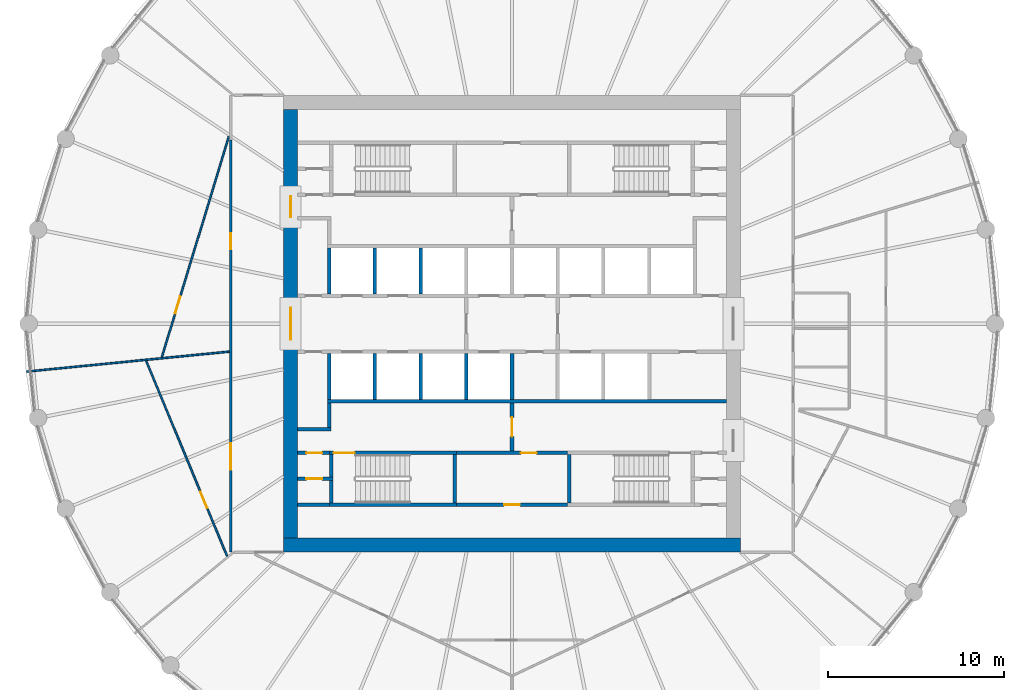
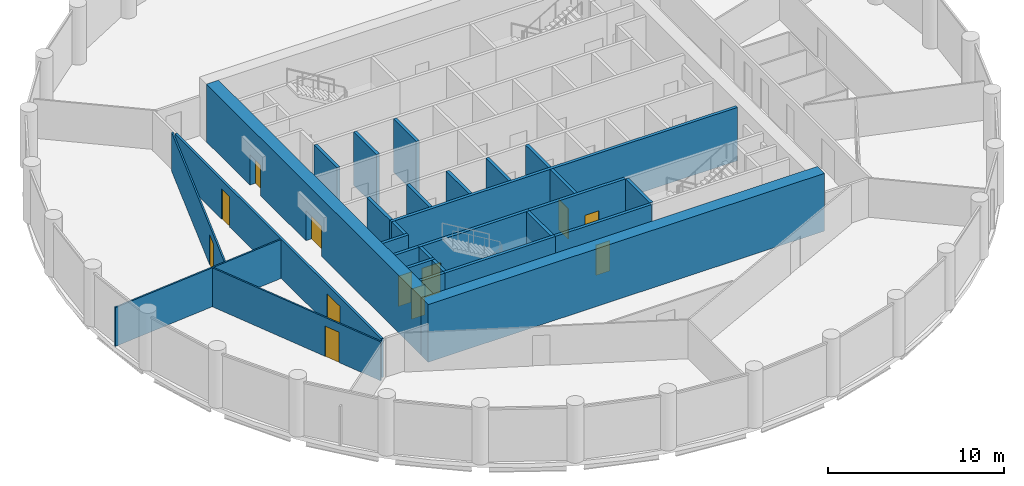
# One storey, part 4 of 8: 29 walls, 12 doors, 12 openings.
"""IFC4 building model written with IfcOpenShell, lengths in metres."""

from ifc_helpers import new_model, si_unit, direction, frame, frame_2d, origin, place, context, subcontext, project, spatial, polyline, rectangle, outline, extrude, material, layer, layer_set, type_object, element, fill, save


model = new_model("IFC4")

# Units and contexts
model_context = context("Model", 3, precision=1e-05, world=origin(), true_north=direction((0.0, 1.0)))
body_context = subcontext(model_context, "Body", "Model", "MODEL_VIEW")
ifc_project = project(units=[si_unit("LENGTHUNIT", "METRE"), si_unit("AREAUNIT", "SQUARE_METRE"), si_unit("VOLUMEUNIT", "CUBIC_METRE"), si_unit("PLANEANGLEUNIT", "RADIAN"), si_unit("MASSUNIT", "GRAM", prefix="KILO")], contexts=[model_context])

# Site, building, storey
site_placement = place(None, origin())
site = spatial("IfcSite", under=ifc_project, at=site_placement, CompositionType="ELEMENT")
building_placement = place(site_placement, origin())
building = spatial("IfcBuilding", under=site, at=building_placement, Name="Corvane Civic Tower", CompositionType="ELEMENT")
storey_placement = place(building_placement, frame((0.0, 0.0, 245.5)))
storey = spatial("IfcBuildingStorey", under=building, at=storey_placement, Name="L58", CompositionType="ELEMENT", Elevation=245.5)

# Wall
ifc_material_1 = material(Name="Concrete C50/60", Category="concrete")
ifc_layer_1 = layer(ifc_material_1, 0.800048828125)
ifc_layer_set_1 = layer_set([ifc_layer_1], Name="Concrete C50/60")
wall_type_1 = type_object("IfcWallType", Name="CORE WALL 800 C50/60", PredefinedType="SHEAR", material=ifc_layer_set_1)
wall_1_placement = place(storey_placement, frame((-13.0, -12.60009765625, 0.0), z_axis=(0.0, 0.0, 1.0), x_axis=(1.0, 0.0, 0.0)))
element("IfcWall", 1, at=wall_1_placement, inside=storey, type_object=wall_type_1, Name="W-L58-core-S", PredefinedType="SHEAR", context=body_context, shape_type="SweptSolid", body=[
    extrude(rectangle(XDim=26.0, YDim=0.800048828125, at=frame_2d((13.0, 0.0))), origin(), (0.0, 0.0, 1.0), 4.0),
])

# Wall, openings, doors
wall_2_placement = place(storey_placement, frame((-12.60009765625, -12.199951171875, 0.0), z_axis=(0.0, 0.0, 1.0), x_axis=(0.0, 1.0, 0.0)))
wall_2 = element("IfcWall", 2, at=wall_2_placement, inside=storey, type_object=wall_type_1, Name="W-L58-core-W", PredefinedType="SHEAR", context=body_context, shape_type="SweptSolid", body=[
    extrude(rectangle(XDim=24.39990234375, YDim=0.800048828125, at=frame_2d((12.199951171875, 0.0))), origin(), (0.0, 0.0, 1.0), 4.0),
])
opening_1_placement = place(wall_2_placement, frame((11.300048828125, 0.0, 0.0)))
opening_1 = element("IfcOpeningElement", 3, at=opening_1_placement, cuts=wall_2, Name="Opening L58.C28", PredefinedType="OPENING", context=body_context, shape_type="SweptSolid", body=[
    extrude(rectangle(XDim=1.800048828125, YDim=2.10009765625, at=frame_2d((0.89990234375, 1.050048828125))), frame((0.0, 0.409912109375, 0.0), z_axis=(0.0, -1.0, 0.0), x_axis=(1.0, 0.0, 0.0)), (0.0, 0.0, 1.0), 0.820068359375),
])
opening_2_placement = place(wall_2_placement, frame((18.25, 0.0, 0.0)))
opening_2 = element("IfcOpeningElement", 4, at=opening_2_placement, cuts=wall_2, Name="Opening L58.C30", PredefinedType="OPENING", context=body_context, shape_type="SweptSolid", body=[
    extrude(rectangle(XDim=1.199951171875, YDim=2.10009765625, at=frame_2d((0.60009765625, 1.050048828125))), frame((0.0, 0.409912109375, 0.0), z_axis=(0.0, -1.0, 0.0), x_axis=(1.0, 0.0, 0.0)), (0.0, 0.0, 1.0), 0.820068359375),
])
ifc_material_2 = material(Name="Steel fire door leaf", Category="steel")
door_type_1 = type_object("IfcDoorType", Name="CR-DOOR-CORE-1800", OperationType="DOUBLE_DOOR_SINGLE_SWING", PredefinedType="DOOR", material=ifc_material_2)
door_1_placement = place(opening_1_placement, origin())
door_1 = element("IfcDoor", 5, at=door_1_placement, inside=storey, type_object=door_type_1, Name="L58 door", OperationType="DOUBLE_DOOR_SINGLE_SWING", OverallHeight=2.10009765625, OverallWidth=1.800048828125, PredefinedType="DOOR", context=body_context, shape_type="SweptSolid", body=[
    extrude(rectangle(XDim=1.800048828125, YDim=2.10009765625, at=frame_2d((0.89990234375, 1.050048828125))), frame((0.0, 0.02490234375, 0.0), z_axis=(0.0, -1.0, 0.0), x_axis=(1.0, 0.0, 0.0)), (0.0, 0.0, 1.0), 0.050048828125),
])
fill(opening_1, door_1)
door_2_placement = place(opening_2_placement, origin())
door_2 = element("IfcDoor", 6, at=door_2_placement, inside=storey, type_object=door_type_1, Name="L58 door", OperationType="DOUBLE_DOOR_SINGLE_SWING", OverallHeight=2.10009765625, OverallWidth=1.199951171875, PredefinedType="DOOR", context=body_context, shape_type="SweptSolid", body=[
    extrude(rectangle(XDim=1.199951171875, YDim=2.10009765625, at=frame_2d((0.60009765625, 1.050048828125))), frame((0.0, 0.02490234375, 0.0), z_axis=(0.0, -1.0, 0.0), x_axis=(1.0, 0.0, 0.0)), (0.0, 0.0, 1.0), 0.050048828125),
])
fill(opening_2, door_2)

# Wall, opening, door
ifc_material_3 = material(Name="Concrete C30/37", Category="concrete")
ifc_layer_2 = layer(ifc_material_3, 0.199951171875)
ifc_layer_set_2 = layer_set([ifc_layer_2], Name="Concrete C30/37")
wall_type_2 = type_object("IfcWallType", Name="CR-WALL-200", PredefinedType="PARTITIONING", material=ifc_layer_set_2)
wall_3_placement = place(storey_placement, frame((-3.14990234375, -10.300048828125, 0.0), z_axis=(0.0, 0.0, 1.0), x_axis=(1.0, 0.0, 0.0)))
wall_3 = element("IfcWall", 7, at=wall_3_placement, inside=storey, type_object=wall_type_2, Name="L58 partition wall", PredefinedType="PARTITIONING", context=body_context, shape_type="SweptSolid", body=[
    extrude(rectangle(XDim=6.2998046875, YDim=0.199951171875, at=frame_2d((3.14990234375, 0.0))), origin(), (0.0, 0.0, 1.0), 3.699951171875),
])
opening_3_placement = place(wall_3_placement, frame((2.699951171875, 0.0, 0.0)))
opening_3 = element("IfcOpeningElement", 8, at=opening_3_placement, cuts=wall_3, Name="Opening L58.C09", PredefinedType="OPENING", context=body_context, shape_type="SweptSolid", body=[
    extrude(rectangle(XDim=0.89990234375, YDim=2.10009765625, at=frame_2d((0.449951171875, 1.050048828125))), frame((0.0, 0.10986328125, 0.0), z_axis=(0.0, -1.0, 0.0), x_axis=(1.0, 0.0, 0.0)), (0.0, 0.0, 1.0), 0.219970703125),
])
ifc_material_4 = material(Name="Steel fire door leaf", Category="steel")
door_type_2 = type_object("IfcDoorType", Name="CR-DOOR-900", OperationType="SINGLE_SWING_LEFT", PredefinedType="DOOR", material=ifc_material_4)
door_3_placement = place(opening_3_placement, origin())
door_3 = element("IfcDoor", 9, at=door_3_placement, inside=storey, type_object=door_type_2, Name="L58 door", OperationType="SINGLE_SWING_LEFT", OverallHeight=2.10009765625, OverallWidth=0.89990234375, PredefinedType="DOOR", context=body_context, shape_type="SweptSolid", body=[
    extrude(rectangle(XDim=0.89990234375, YDim=2.10009765625, at=frame_2d((0.449951171875, 1.050048828125))), frame((0.0, 0.02490234375, 0.0), z_axis=(0.0, -1.0, 0.0), x_axis=(1.0, 0.0, 0.0)), (0.0, 0.0, 1.0), 0.050048828125),
])
fill(opening_3, door_3)

wall_4_placement = place(storey_placement, frame((-12.199951171875, -8.824951171875, 0.0), z_axis=(0.0, 0.0, 1.0), x_axis=(1.0, 0.0, 0.0)))
wall_4 = element("IfcWall", 10, at=wall_4_placement, inside=storey, type_object=wall_type_2, Name="L58 partition wall", PredefinedType="PARTITIONING", context=body_context, shape_type="SweptSolid", body=[
    extrude(rectangle(XDim=2.0, YDim=0.199951171875, at=frame_2d((1.0, 0.0))), origin(), (0.0, 0.0, 1.0), 3.699951171875),
])
opening_4_placement = place(wall_4_placement, frame((0.5, 0.0, 0.0)))
opening_4 = element("IfcOpeningElement", 11, at=opening_4_placement, cuts=wall_4, Name="Opening L58.C13", PredefinedType="OPENING", context=body_context, shape_type="SweptSolid", body=[
    extrude(rectangle(XDim=0.89990234375, YDim=2.10009765625, at=frame_2d((0.449951171875, 1.050048828125))), frame((0.0, 0.10986328125, 0.0), z_axis=(0.0, -1.0, 0.0), x_axis=(1.0, 0.0, 0.0)), (0.0, 0.0, 1.0), 0.219970703125),
])
door_4_placement = place(opening_4_placement, origin())
door_4 = element("IfcDoor", 12, at=door_4_placement, inside=storey, type_object=door_type_2, Name="L58 door", OperationType="SINGLE_SWING_LEFT", OverallHeight=2.10009765625, OverallWidth=0.89990234375, PredefinedType="DOOR", context=body_context, shape_type="SweptSolid", body=[
    extrude(rectangle(XDim=0.89990234375, YDim=2.10009765625, at=frame_2d((0.449951171875, 1.050048828125))), frame((0.0, 0.02490234375, 0.0), z_axis=(0.0, -1.0, 0.0), x_axis=(1.0, 0.0, 0.0)), (0.0, 0.0, 1.0), 0.050048828125),
])
fill(opening_4, door_4)

wall_5_placement = place(storey_placement, frame((-12.199951171875, -7.35009765625, 0.0), z_axis=(0.0, 0.0, 1.0), x_axis=(1.0, 0.0, 0.0)))
wall_5 = element("IfcWall", 13, at=wall_5_placement, inside=storey, type_object=wall_type_2, Name="L58 core partition wall", PredefinedType="PARTITIONING", context=body_context, shape_type="SweptSolid", body=[
    extrude(rectangle(XDim=1.800048828125, YDim=0.199951171875, at=frame_2d((0.89990234375, 0.0))), origin(), (0.0, 0.0, 1.0), 3.699951171875),
])
opening_5_placement = place(wall_5_placement, frame((0.5, 0.0, 0.0)))
opening_5 = element("IfcOpeningElement", 14, at=opening_5_placement, cuts=wall_5, Name="Opening L58.C12", PredefinedType="OPENING", context=body_context, shape_type="SweptSolid", body=[
    extrude(rectangle(XDim=0.89990234375, YDim=2.10009765625, at=frame_2d((0.449951171875, 1.050048828125))), frame((0.0, 0.10986328125, 0.0), z_axis=(0.0, -1.0, 0.0), x_axis=(1.0, 0.0, 0.0)), (0.0, 0.0, 1.0), 0.219970703125),
])
door_5_placement = place(opening_5_placement, origin())
door_5 = element("IfcDoor", 15, at=door_5_placement, inside=storey, type_object=door_type_2, Name="L58 door", OperationType="SINGLE_SWING_LEFT", OverallHeight=2.10009765625, OverallWidth=0.89990234375, PredefinedType="DOOR", context=body_context, shape_type="SweptSolid", body=[
    extrude(rectangle(XDim=0.89990234375, YDim=2.10009765625, at=frame_2d((0.449951171875, 1.050048828125))), frame((0.0, 0.02490234375, 0.0), z_axis=(0.0, -1.0, 0.0), x_axis=(1.0, 0.0, 0.0)), (0.0, 0.0, 1.0), 0.050048828125),
])
fill(opening_5, door_5)

wall_6_placement = place(storey_placement, frame((-3.14990234375, -7.35009765625, 0.0), z_axis=(0.0, 0.0, 1.0), x_axis=(1.0, 0.0, 0.0)))
wall_6 = element("IfcWall", 16, at=wall_6_placement, inside=storey, type_object=wall_type_2, Name="L58 partition wall", PredefinedType="PARTITIONING", context=body_context, shape_type="SweptSolid", body=[
    extrude(rectangle(XDim=6.2998046875, YDim=0.199951171875, at=frame_2d((3.14990234375, 0.0))), origin(), (0.0, 0.0, 1.0), 3.699951171875),
])
opening_6_placement = place(wall_6_placement, frame((3.64990234375, 0.0, 0.0)))
opening_6 = element("IfcOpeningElement", 17, at=opening_6_placement, cuts=wall_6, Name="Opening L58.C07", PredefinedType="OPENING", context=body_context, shape_type="SweptSolid", body=[
    extrude(rectangle(XDim=0.89990234375, YDim=2.10009765625, at=frame_2d((0.449951171875, 1.050048828125))), frame((0.0, 0.10986328125, 0.0), z_axis=(0.0, -1.0, 0.0), x_axis=(1.0, 0.0, 0.0)), (0.0, 0.0, 1.0), 0.219970703125),
])
door_6_placement = place(opening_6_placement, origin())
door_6 = element("IfcDoor", 18, at=door_6_placement, inside=storey, type_object=door_type_2, Name="L58 door", OperationType="SINGLE_SWING_LEFT", OverallHeight=2.10009765625, OverallWidth=0.89990234375, PredefinedType="DOOR", context=body_context, shape_type="SweptSolid", body=[
    extrude(rectangle(XDim=0.89990234375, YDim=2.10009765625, at=frame_2d((0.449951171875, 1.050048828125))), frame((0.0, 0.02490234375, 0.0), z_axis=(0.0, -1.0, 0.0), x_axis=(1.0, 0.0, 0.0)), (0.0, 0.0, 1.0), 0.050048828125),
])
fill(opening_6, door_6)

wall_7_placement = place(storey_placement, frame((0.0, -7.25, 0.0), z_axis=(0.0, 0.0, 1.0), x_axis=(0.0, 1.0, 0.0)))
wall_7 = element("IfcWall", 19, at=wall_7_placement, inside=storey, type_object=wall_type_2, Name="L58 core partition wall", PredefinedType="PARTITIONING", context=body_context, shape_type="SweptSolid", body=[
    extrude(rectangle(XDim=2.75, YDim=0.199951171875, at=frame_2d((1.375, 0.0))), origin(), (0.0, 0.0, 1.0), 3.699951171875),
])
opening_7_placement = place(wall_7_placement, frame((0.824951171875, 0.0, 0.0)))
opening_7 = element("IfcOpeningElement", 20, at=opening_7_placement, cuts=wall_7, Name="Opening L58.C27", PredefinedType="OPENING", context=body_context, shape_type="SweptSolid", body=[
    extrude(rectangle(XDim=1.10009765625, YDim=2.10009765625, at=frame_2d((0.550048828125, 1.050048828125))), frame((0.0, 0.10986328125, 0.0), z_axis=(0.0, -1.0, 0.0), x_axis=(1.0, 0.0, 0.0)), (0.0, 0.0, 1.0), 0.219970703125),
])
ifc_material_5 = material(Name="Steel fire door leaf", Category="steel")
door_type_3 = type_object("IfcDoorType", Name="CR-DOOR-FFL-1100", OperationType="SINGLE_SWING_LEFT", PredefinedType="DOOR", material=ifc_material_5)
door_7_placement = place(opening_7_placement, origin())
door_7 = element("IfcDoor", 21, at=door_7_placement, inside=storey, type_object=door_type_3, Name="L58 lobby door", OperationType="SINGLE_SWING_LEFT", OverallHeight=2.10009765625, OverallWidth=1.10009765625, PredefinedType="DOOR", context=body_context, shape_type="SweptSolid", body=[
    extrude(rectangle(XDim=1.10009765625, YDim=2.10009765625, at=frame_2d((0.550048828125, 1.050048828125))), frame((0.0, 0.02490234375, 0.0), z_axis=(0.0, -1.0, 0.0), x_axis=(1.0, 0.0, 0.0)), (0.0, 0.0, 1.0), 0.050048828125),
])
fill(opening_7, door_7)

# Walls
wall_8_placement = place(storey_placement, origin())
element("IfcWall", 22, at=wall_8_placement, inside=storey, type_object=wall_type_2, Name="L58 core partition wall", PredefinedType="PARTITIONING", context=body_context, shape_type="SweptSolid", body=[
    extrude(outline(polyline([(12.199951171875, -4.300048828125), (12.199951171875, -4.5), (-10.5, -4.5), (-10.5, -4.300048828125), (12.199951171875, -4.300048828125)])), origin(), (0.0, 0.0, 1.0), 3.699951171875),
])
wall_9_placement = place(storey_placement, origin())
element("IfcWall", 23, at=wall_9_placement, inside=storey, type_object=wall_type_2, Name="L58 core partition wall", PredefinedType="PARTITIONING", context=body_context, shape_type="SweptSolid", body=[
    extrude(outline(polyline([(-2.5, -1.699951171875), (-2.5, -4.2998046875), (-2.699951171875, -4.2998046875), (-2.699951171875, -1.699951171875), (-2.5, -1.699951171875)])), origin(), (0.0, 0.0, 1.0), 3.699951171875),
])
wall_10_placement = place(storey_placement, origin())
element("IfcWall", 24, at=wall_10_placement, inside=storey, type_object=wall_type_2, Name="L58 core partition wall", PredefinedType="PARTITIONING", context=body_context, shape_type="SweptSolid", body=[
    extrude(outline(polyline([(0.10009765625, -1.699951171875), (0.10009765625, -4.2998046875), (-0.10009765625, -4.2998046875), (-0.10009765625, -1.699951171875), (0.10009765625, -1.699951171875)])), origin(), (0.0, 0.0, 1.0), 3.699951171875),
])
wall_11_placement = place(storey_placement, origin())
element("IfcWall", 25, at=wall_11_placement, inside=storey, type_object=wall_type_2, Name="L58 core partition wall", PredefinedType="PARTITIONING", context=body_context, shape_type="SweptSolid", body=[
    extrude(outline(polyline([(-10.300048828125, -1.699951171875), (-10.300048828125, -4.2998046875), (-10.5, -4.2998046875), (-10.5, -1.699951171875), (-10.300048828125, -1.699951171875)])), origin(), (0.0, 0.0, 1.0), 3.699951171875),
])
wall_12_placement = place(storey_placement, origin())
element("IfcWall", 26, at=wall_12_placement, inside=storey, type_object=wall_type_2, Name="L58 core partition wall", PredefinedType="PARTITIONING", context=body_context, shape_type="SweptSolid", body=[
    extrude(outline(polyline([(-7.699951171875, -1.699951171875), (-7.699951171875, -4.2998046875), (-7.89990234375, -4.2998046875), (-7.89990234375, -1.699951171875), (-7.699951171875, -1.699951171875)])), origin(), (0.0, 0.0, 1.0), 3.699951171875),
])
wall_13_placement = place(storey_placement, origin())
element("IfcWall", 27, at=wall_13_placement, inside=storey, type_object=wall_type_2, Name="L58 core partition wall", PredefinedType="PARTITIONING", context=body_context, shape_type="SweptSolid", body=[
    extrude(outline(polyline([(-5.10009765625, -1.699951171875), (-5.10009765625, -4.2998046875), (-5.300048828125, -4.2998046875), (-5.300048828125, -1.699951171875), (-5.10009765625, -1.699951171875)])), origin(), (0.0, 0.0, 1.0), 3.699951171875),
])
wall_14_placement = place(storey_placement, origin())
element("IfcWall", 28, at=wall_14_placement, inside=storey, type_object=wall_type_2, Name="L58 core partition wall", PredefinedType="PARTITIONING", context=body_context, shape_type="SweptSolid", body=[
    extrude(outline(polyline([(-10.300048828125, -6.10009765625), (-12.199951171875, -6.10009765625), (-12.199951171875, -5.89990234375), (-10.300048828125, -5.89990234375), (-10.300048828125, -6.10009765625)])), origin(), (0.0, 0.0, 1.0), 3.699951171875),
])
wall_15_placement = place(storey_placement, origin())
element("IfcWall", 29, at=wall_15_placement, inside=storey, type_object=wall_type_2, Name="L58 core partition wall", PredefinedType="PARTITIONING", context=body_context, shape_type="SweptSolid", body=[
    extrude(outline(polyline([(-10.300048828125, -5.89990234375), (-10.5, -5.89990234375), (-10.5, -4.5), (-10.300048828125, -4.5), (-10.300048828125, -5.89990234375)])), origin(), (0.0, 0.0, 1.0), 3.699951171875),
])
wall_16_placement = place(storey_placement, origin())
element("IfcWall", 30, at=wall_16_placement, inside=storey, type_object=wall_type_2, Name="L58 core partition wall", PredefinedType="PARTITIONING", context=body_context, shape_type="SweptSolid", body=[
    extrude(outline(polyline([(-10.300048828125, 1.699951171875), (-10.5, 1.699951171875), (-10.5, 4.2998046875), (-10.300048828125, 4.2998046875), (-10.300048828125, 1.699951171875)])), origin(), (0.0, 0.0, 1.0), 3.699951171875),
])
wall_17_placement = place(storey_placement, origin())
element("IfcWall", 31, at=wall_17_placement, inside=storey, type_object=wall_type_2, Name="L58 core partition wall", PredefinedType="PARTITIONING", context=body_context, shape_type="SweptSolid", body=[
    extrude(outline(polyline([(-7.699951171875, 1.699951171875), (-7.89990234375, 1.699951171875), (-7.89990234375, 4.2998046875), (-7.699951171875, 4.2998046875), (-7.699951171875, 1.699951171875)])), origin(), (0.0, 0.0, 1.0), 3.699951171875),
])
wall_18_placement = place(storey_placement, origin())
element("IfcWall", 32, at=wall_18_placement, inside=storey, type_object=wall_type_2, Name="L58 core partition wall", PredefinedType="PARTITIONING", context=body_context, shape_type="SweptSolid", body=[
    extrude(outline(polyline([(-5.10009765625, 1.699951171875), (-5.300048828125, 1.699951171875), (-5.300048828125, 4.2998046875), (-5.10009765625, 4.2998046875), (-5.10009765625, 1.699951171875)])), origin(), (0.0, 0.0, 1.0), 3.699951171875),
])
wall_19_placement = place(storey_placement, origin())
element("IfcWall", 33, at=wall_19_placement, inside=storey, type_object=wall_type_2, Name="L58 core partition wall", PredefinedType="PARTITIONING", context=body_context, shape_type="SweptSolid", body=[
    extrude(outline(polyline([(-10.39990234375, -10.39990234375), (-12.199951171875, -10.39990234375), (-12.199951171875, -10.199951171875), (-10.39990234375, -10.199951171875), (-10.39990234375, -10.39990234375)])), origin(), (0.0, 0.0, 1.0), 3.699951171875),
])

# Wall, opening, door
ifc_material_6 = material(Name="Plasterboard")
ifc_layer_3 = layer(ifc_material_6, 0.10009765625)
ifc_layer_set_3 = layer_set([ifc_layer_3], Name="Plasterboard")
wall_type_3 = type_object("IfcWallType", Name="Partition 100 plasterboard on studs", PredefinedType="PARTITIONING", material=ifc_layer_set_3)
wall_20_placement = place(storey_placement, frame((-20.815185546875, -2.114990234375, 0.0), z_axis=(0.0, 0.0, 1.0), x_axis=(0.382678182982, -0.92388170686, 0.0)))
wall_20 = element("IfcWall", 34, at=wall_20_placement, inside=storey, type_object=wall_type_3, Name="Partition L58.007", PredefinedType="PARTITIONING", context=body_context, shape_type="SweptSolid", body=[
    extrude(rectangle(XDim=12.0234375, YDim=0.10009765625, at=frame_2d((6.01171875, 0.0))), origin(), (0.0, 0.0, 1.0), 2.699951171875),
])
opening_8_placement = place(wall_20_placement, frame((8.05615234375, 0.0, 0.0)))
opening_8 = element("IfcOpeningElement", 35, at=opening_8_placement, cuts=wall_20, Name="Opening L58.014", PredefinedType="OPENING", context=body_context, shape_type="SweptSolid", body=[
    extrude(rectangle(XDim=1.0, YDim=2.10009765625, at=frame_2d((0.5, 1.050048828125))), frame((0.0, 0.06005859375, 0.0), z_axis=(0.0, -1.0, 0.0), x_axis=(1.0, 0.0, 0.0)), (0.0, 0.0, 1.0), 0.1201171875),
])
ifc_material_7 = material(Name="Timber", Category="wood")
door_type_4 = type_object("IfcDoorType", Name="Single door 1000", OperationType="NOTDEFINED", PredefinedType="DOOR", material=ifc_material_7)
door_8_placement = place(opening_8_placement, frame((1.0, 0.0, 0.0), z_axis=(0.0, 0.0, 1.0), x_axis=(-1.0, 0.0, 0.0)))
door_8 = element("IfcDoor", 36, at=door_8_placement, inside=storey, type_object=door_type_4, Name="Door L58.014", OperationType="SINGLE_SWING_LEFT", OverallHeight=2.10009765625, OverallWidth=1.0, PredefinedType="DOOR", context=body_context, shape_type="SweptSolid", body=[
    extrude(rectangle(XDim=1.0, YDim=2.10009765625, at=frame_2d((0.5, 1.050048828125))), frame((0.0, 0.02490234375, 0.0), z_axis=(0.0, -1.0, 0.0), x_axis=(1.0, 0.0, 0.0)), (0.0, 0.0, 1.0), 0.050048828125),
])
fill(opening_8, door_8)

# Wall
wall_21_placement = place(storey_placement, frame((-27.616455078125, -2.719970703125, 0.0), z_axis=(0.0, 0.0, 1.0), x_axis=(0.995184958345, 0.098014788084, 0.0)))
element("IfcWall", 37, at=wall_21_placement, inside=storey, type_object=wall_type_3, Name="Partition L58.017", PredefinedType="PARTITIONING", context=body_context, shape_type="SweptSolid", body=[
    extrude(rectangle(XDim=11.592529296875, YDim=0.10009765625, at=frame_2d((5.79638671875, 0.0))), origin(), (0.0, 0.0, 1.0), 2.699951171875),
])

# Wall, opening, door
wall_22_placement = place(storey_placement, frame((-19.922607421875, -1.892578125, 0.0), z_axis=(0.0, 0.0, 1.0), x_axis=(0.290282810355, 0.956940902048, 0.0)))
wall_22 = element("IfcWall", 38, at=wall_22_placement, inside=storey, type_object=wall_type_3, Name="Partition L58.019", PredefinedType="PARTITIONING", context=body_context, shape_type="SweptSolid", body=[
    extrude(rectangle(XDim=13.11279296875, YDim=0.10009765625, at=frame_2d((6.556396484375, 0.0))), origin(), (0.0, 0.0, 1.0), 2.699951171875),
])
opening_9_placement = place(wall_22_placement, frame((2.59619140625, 0.0, 0.0)))
opening_9 = element("IfcOpeningElement", 39, at=opening_9_placement, cuts=wall_22, Name="Opening L58.016", PredefinedType="OPENING", context=body_context, shape_type="SweptSolid", body=[
    extrude(rectangle(XDim=1.0, YDim=2.10009765625, at=frame_2d((0.5, 1.050048828125))), frame((0.0, 0.06005859375, 0.0), z_axis=(0.0, -1.0, 0.0), x_axis=(1.0, 0.0, 0.0)), (0.0, 0.0, 1.0), 0.1201171875),
])
door_9_placement = place(opening_9_placement, origin())
door_9 = element("IfcDoor", 40, at=door_9_placement, inside=storey, type_object=door_type_4, Name="Door L58.016", OperationType="SINGLE_SWING_LEFT", OverallHeight=2.10009765625, OverallWidth=1.0, PredefinedType="DOOR", context=body_context, shape_type="SweptSolid", body=[
    extrude(rectangle(XDim=1.0, YDim=2.10009765625, at=frame_2d((0.5, 1.050048828125))), frame((0.0, 0.02490234375, 0.0), z_axis=(0.0, -1.0, 0.0), x_axis=(1.0, 0.0, 0.0)), (0.0, 0.0, 1.0), 0.050048828125),
])
fill(opening_9, door_9)

ifc_material_8 = material(Name="Concrete C50/60", Category="concrete")
ifc_layer_4 = layer(ifc_material_8, 0.199951171875)
ifc_layer_set_4 = layer_set([ifc_layer_4], Name="Concrete C50/60")
wall_type_4 = type_object("IfcWallType", Name="ST-WALL-200", PredefinedType="SHEAR", material=ifc_layer_set_4)
wall_23_placement = place(storey_placement, frame((-10.39990234375, -7.35009765625, 0.0), z_axis=(0.0, 0.0, 1.0), x_axis=(1.0, 0.0, 0.0)))
wall_23 = element("IfcWall", 41, at=wall_23_placement, inside=storey, type_object=wall_type_4, Name="L58 stair enclosure wall", PredefinedType="SHEAR", context=body_context, shape_type="SweptSolid", body=[
    extrude(rectangle(XDim=7.25, YDim=0.199951171875, at=frame_2d((3.625, 0.0))), origin(), (0.0, 0.0, 1.0), 3.699951171875),
])
opening_10_placement = place(wall_23_placement, frame((0.25, 0.0, 0.0)))
opening_10 = element("IfcOpeningElement", 42, at=opening_10_placement, cuts=wall_23, Name="Opening L58.C23", PredefinedType="OPENING", context=body_context, shape_type="SweptSolid", body=[
    extrude(rectangle(XDim=1.199951171875, YDim=2.10009765625, at=frame_2d((0.60009765625, 1.050048828125))), frame((0.0, 0.10986328125, 0.0), z_axis=(0.0, -1.0, 0.0), x_axis=(1.0, 0.0, 0.0)), (0.0, 0.0, 1.0), 0.219970703125),
])
ifc_material_9 = material(Name="Steel fire door leaf", Category="steel")
door_type_5 = type_object("IfcDoorType", Name="ST-DOOR-1200", OperationType="SINGLE_SWING_RIGHT", PredefinedType="DOOR", material=ifc_material_9)
door_10_placement = place(opening_10_placement, origin())
door_10 = element("IfcDoor", 43, at=door_10_placement, inside=storey, type_object=door_type_5, Name="L58 stair door", OperationType="SINGLE_SWING_RIGHT", OverallHeight=2.10009765625, OverallWidth=1.199951171875, PredefinedType="DOOR", context=body_context, shape_type="SweptSolid", body=[
    extrude(rectangle(XDim=1.199951171875, YDim=2.10009765625, at=frame_2d((0.60009765625, 1.050048828125))), frame((0.0, 0.02490234375, 0.0), z_axis=(0.0, -1.0, 0.0), x_axis=(1.0, 0.0, 0.0)), (0.0, 0.0, 1.0), 0.050048828125),
])
fill(opening_10, door_10)

# Walls
wall_24_placement = place(storey_placement, origin())
element("IfcWall", 44, at=wall_24_placement, inside=storey, type_object=wall_type_4, Name="L58 stair enclosure wall", PredefinedType="SHEAR", context=body_context, shape_type="SweptSolid", body=[
    extrude(outline(polyline([(-3.14990234375, -10.199951171875), (-3.14990234375, -10.39990234375), (-10.39990234375, -10.39990234375), (-10.39990234375, -10.199951171875), (-3.14990234375, -10.199951171875)])), origin(), (0.0, 0.0, 1.0), 3.699951171875),
])
wall_25_placement = place(storey_placement, origin())
element("IfcWall", 45, at=wall_25_placement, inside=storey, type_object=wall_type_4, Name="L58 stair enclosure wall", PredefinedType="SHEAR", context=body_context, shape_type="SweptSolid", body=[
    extrude(outline(polyline([(-3.14990234375, -7.449951171875), (-3.14990234375, -10.199951171875), (-3.35009765625, -10.199951171875), (-3.35009765625, -7.449951171875), (-3.14990234375, -7.449951171875)])), origin(), (0.0, 0.0, 1.0), 3.699951171875),
])
wall_26_placement = place(storey_placement, origin())
element("IfcWall", 46, at=wall_26_placement, inside=storey, type_object=wall_type_4, Name="L58 stair enclosure wall", PredefinedType="SHEAR", context=body_context, shape_type="SweptSolid", body=[
    extrude(outline(polyline([(3.35009765625, -7.449951171875), (3.35009765625, -10.199951171875), (3.14990234375, -10.199951171875), (3.14990234375, -7.449951171875), (3.35009765625, -7.449951171875)])), origin(), (0.0, 0.0, 1.0), 3.699951171875),
])
wall_27_placement = place(storey_placement, origin())
element("IfcWall", 47, at=wall_27_placement, inside=storey, type_object=wall_type_4, Name="L58 stair enclosure wall", PredefinedType="SHEAR", context=body_context, shape_type="SweptSolid", body=[
    extrude(outline(polyline([(-10.199951171875, -7.449951171875), (-10.199951171875, -8.72509765625), (-10.39990234375, -8.72509765625), (-10.39990234375, -7.449951171875), (-10.199951171875, -7.449951171875)])), origin(), (0.0, 0.0, 1.0), 3.699951171875),
])
wall_28_placement = place(storey_placement, origin())
element("IfcWall", 48, at=wall_28_placement, inside=storey, type_object=wall_type_4, Name="L58 stair enclosure wall", PredefinedType="SHEAR", context=body_context, shape_type="SweptSolid", body=[
    extrude(outline(polyline([(-10.199951171875, -8.925048828125), (-10.199951171875, -10.199951171875), (-10.39990234375, -10.199951171875), (-10.39990234375, -8.925048828125), (-10.199951171875, -8.925048828125)])), origin(), (0.0, 0.0, 1.0), 3.699951171875),
])

# Wall, openings, doors
ifc_material_10 = material(Name="Plasterboard")
ifc_layer_5 = layer(ifc_material_10, 0.14990234375)
ifc_layer_set_5 = layer_set([ifc_layer_5], Name="Plasterboard")
wall_type_5 = type_object("IfcWallType", Name="Tenancy wall 150 EI 60", PredefinedType="PARTITIONING", material=ifc_layer_set_5)
wall_29_placement = place(storey_placement, frame((-16.0, -13.0, 0.0), z_axis=(0.0, 0.0, 1.0), x_axis=(0.0, 1.0, 0.0)))
wall_29 = element("IfcWall", 49, at=wall_29_placement, inside=storey, type_object=wall_type_5, Name="Partition L58.008", PredefinedType="PARTITIONING", context=body_context, shape_type="SweptSolid", body=[
    extrude(rectangle(XDim=23.459716796875, YDim=0.14990234375, at=frame_2d((11.72998046875, 0.0))), origin(), (0.0, 0.0, 1.0), 2.699951171875),
])
opening_11_placement = place(wall_29_placement, frame((4.68701171875, 0.0, 0.0)))
opening_11 = element("IfcOpeningElement", 50, at=opening_11_placement, cuts=wall_29, Name="Opening L58.015", PredefinedType="OPENING", context=body_context, shape_type="SweptSolid", body=[
    extrude(rectangle(XDim=1.5, YDim=2.10009765625, at=frame_2d((0.75, 1.050048828125))), frame((0.0, 0.0849609375, 0.0), z_axis=(0.0, -1.0, 0.0), x_axis=(1.0, 0.0, 0.0)), (0.0, 0.0, 1.0), 0.169921875),
])
opening_12_placement = place(wall_29_placement, frame((17.24462890625, 0.0, 0.0)))
opening_12 = element("IfcOpeningElement", 51, at=opening_12_placement, cuts=wall_29, Name="Opening L58.017", PredefinedType="OPENING", context=body_context, shape_type="SweptSolid", body=[
    extrude(rectangle(XDim=0.89990234375, YDim=2.10009765625, at=frame_2d((0.449951171875, 1.050048828125))), frame((0.0, 0.0849609375, 0.0), z_axis=(0.0, -1.0, 0.0), x_axis=(1.0, 0.0, 0.0)), (0.0, 0.0, 1.0), 0.169921875),
])
ifc_material_11 = material(Name="Steel and timber", Category="steel")
door_type_6 = type_object("IfcDoorType", Name="Fire door FD30S 900", OperationType="NOTDEFINED", PredefinedType="DOOR", material=ifc_material_11)
door_11_placement = place(opening_12_placement, origin())
door_11 = element("IfcDoor", 52, at=door_11_placement, inside=storey, type_object=door_type_6, Name="Door L58.017", OperationType="SINGLE_SWING_LEFT", OverallHeight=2.10009765625, OverallWidth=0.89990234375, PredefinedType="DOOR", context=body_context, shape_type="SweptSolid", body=[
    extrude(rectangle(XDim=0.89990234375, YDim=2.10009765625, at=frame_2d((0.449951171875, 1.050048828125))), frame((0.0, 0.02490234375, 0.0), z_axis=(0.0, -1.0, 0.0), x_axis=(1.0, 0.0, 0.0)), (0.0, 0.0, 1.0), 0.050048828125),
])
fill(opening_12, door_11)
ifc_material_12 = material(Name="Steel and timber", Category="steel")
door_type_7 = type_object("IfcDoorType", Name="Fire door FD60 double 1500", OperationType="NOTDEFINED", PredefinedType="DOOR", material=ifc_material_12)
door_12_placement = place(opening_11_placement, origin())
door_12 = element("IfcDoor", 53, at=door_12_placement, inside=storey, type_object=door_type_7, Name="Door L58.015", OperationType="DOUBLE_DOOR_SINGLE_SWING", OverallHeight=2.10009765625, OverallWidth=1.5, PredefinedType="DOOR", context=body_context, shape_type="SweptSolid", body=[
    extrude(rectangle(XDim=1.5, YDim=2.10009765625, at=frame_2d((0.75, 1.050048828125))), frame((0.0, 0.02490234375, 0.0), z_axis=(0.0, -1.0, 0.0), x_axis=(1.0, 0.0, 0.0)), (0.0, 0.0, 1.0), 0.050048828125),
])
fill(opening_11, door_12)

save(model, "model.ifc")
